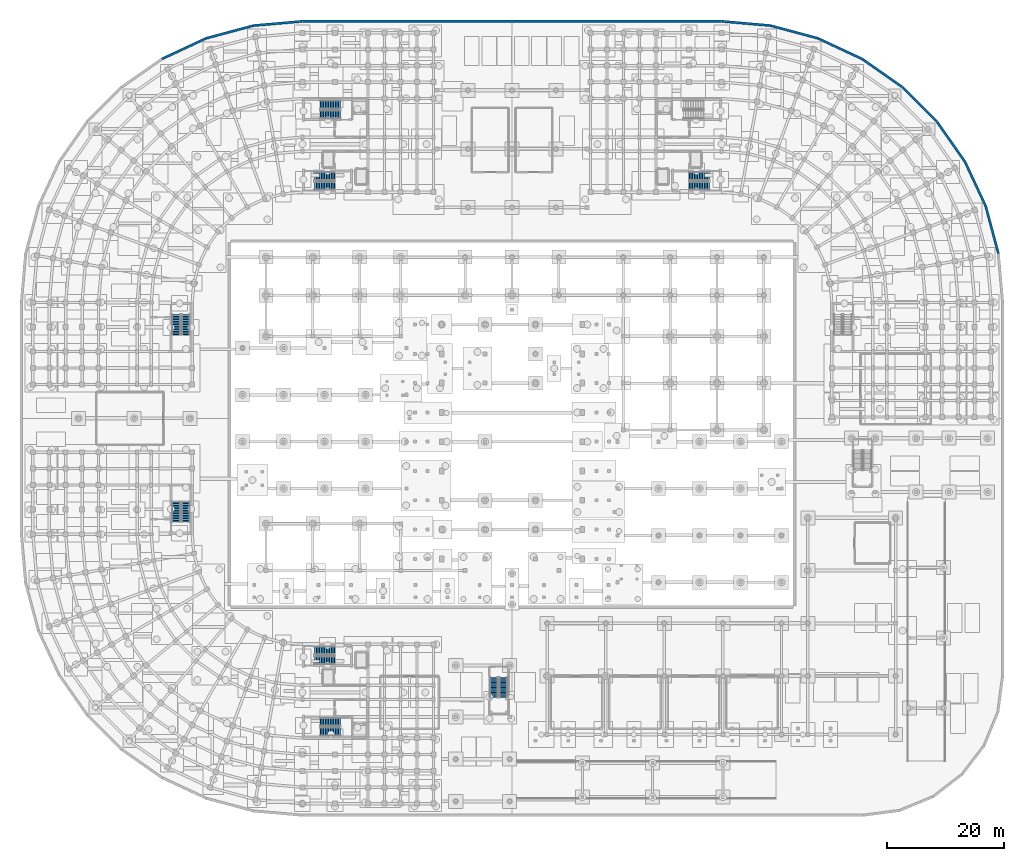
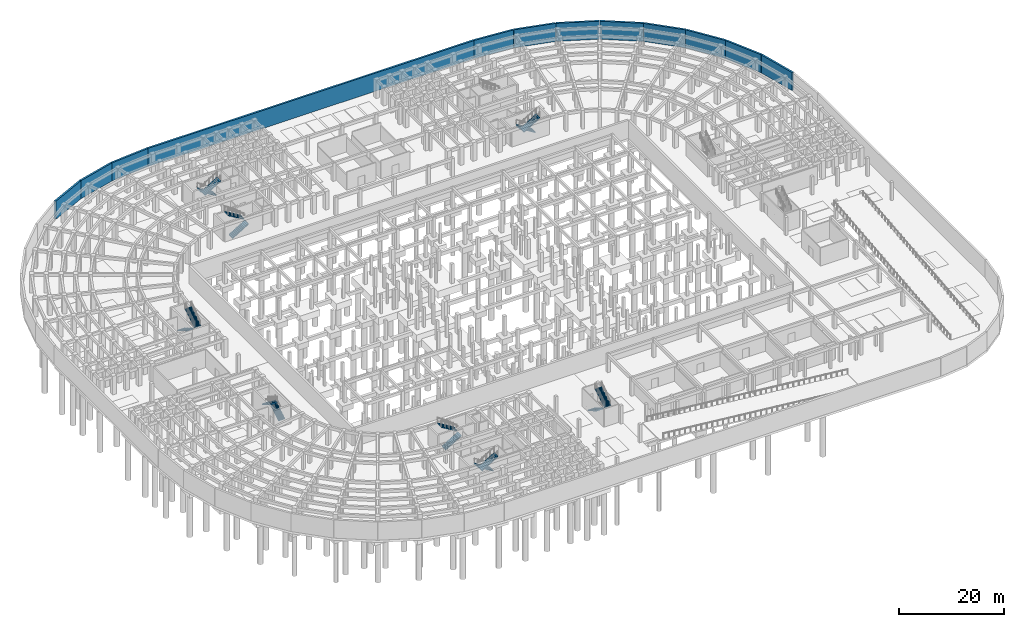
# One storey, part 38 of 53: 16 stair flights, 12 walls, 8 elements without a shape of their own.
"""IFC4 building model written with IfcOpenShell, lengths in metres."""

from ifc_helpers import new_model, si_unit, direction, frame, frame_2d, origin, place, context, subcontext, project, spatial, polyline, rectangle, outline, extrude, material, layer, layer_set, type_object, element, aggregate, save


model = new_model("IFC4")

# Units and contexts
model_context = context("Model", 3, precision=1e-05, world=origin(), true_north=direction((0.0, 1.0)))
body_context = subcontext(model_context, "Body", "Model", "MODEL_VIEW")
ifc_project = project(units=[si_unit("LENGTHUNIT", "METRE"), si_unit("AREAUNIT", "SQUARE_METRE"), si_unit("VOLUMEUNIT", "CUBIC_METRE"), si_unit("PLANEANGLEUNIT", "RADIAN"), si_unit("MASSUNIT", "GRAM", prefix="KILO")], contexts=[model_context])

# Site, building, storey
site_placement = place(None, origin())
site = spatial("IfcSite", under=ifc_project, at=site_placement, CompositionType="ELEMENT")
building_placement = place(site_placement, origin())
building = spatial("IfcBuilding", under=site, at=building_placement, Name="Kiranvali Square Residences", CompositionType="ELEMENT")
storey_placement = place(building_placement, frame((0.0, 0.0, -4.5)))
storey = spatial("IfcBuildingStorey", under=building, at=storey_placement, Name="B1", CompositionType="ELEMENT", Elevation=-4.5)

# Walls
ifc_material_1 = material(Name="Concrete M40 (40 MPa)", Category="concrete")
ifc_layer = layer(ifc_material_1, 0.39990234375)
ifc_layer_set = layer_set([ifc_layer], Name="Concrete M40 (40 MPa)")
wall_type = type_object("IfcWallType", Name="WL-RET-400", PredefinedType="USERDEFINED", material=ifc_layer_set)
for number, where, z_axis, x_axis, name in (
    (1, (167.0439453125, 96.15869140625, 0.0), (0.0, 0.0, 1.0), (-0.258820304836, 0.965925488744, 0.0), "Shaped street-perimeter basement retaining wall 19"),
    (2, (164.87451171875, 104.235595703125, 0.0), (0.0, 0.0, 1.0), (-0.422607112374, 0.906312985988, 0.0), "Shaped street-perimeter basement retaining wall 20"),
    (3, (161.3359375, 111.81298828125, 0.0), (0.0, 0.0, 1.0), (-0.573598429348, 0.819136644186, 0.0), "Shaped street-perimeter basement retaining wall 21"),
    (4, (156.534912109375, 118.66064453125, 0.0), (0.0, 0.0, 1.0), (-0.707106781187, 0.707106781187, 0.0), "Shaped street-perimeter basement retaining wall 22"),
    (5, (150.617919921875, 124.57080078125, 0.0), (0.0, 0.0, 1.0), (-0.819136644186, 0.573598429348, 0.0), "Shaped street-perimeter basement retaining wall 23"),
    (6, (143.7646484375, 129.36376953125, 0.0), (0.0, 0.0, 1.0), (-0.906312985988, 0.422607112374, 0.0), "Shaped street-perimeter basement retaining wall 24"),
    (7, (136.18310546875, 132.893798828125, 0.0), (0.0, 0.0, 1.0), (-0.965925488744, 0.258820304836, 0.0), "Shaped street-perimeter basement retaining wall 25"),
):
    element("IfcWall", number, at=place(storey_placement, frame(where, z_axis=z_axis, x_axis=x_axis)), inside=storey, type_object=wall_type, Name=name, ObjectType="RETAINING WALL", PredefinedType="USERDEFINED", context=body_context, shape_type="SweptSolid", body=[
        extrude(rectangle(XDim=8.307373046875, YDim=0.39990234375, at=frame_2d((4.15380859375, 0.0))), origin(), (0.0, 0.0, 1.0), 4.199951171875),
    ])
wall_1_placement = place(storey_placement, frame((128.103759765625, 135.053466796875, 0.0), z_axis=(0.0, 0.0, 1.0), x_axis=(-0.996193908887, 0.087164762929, 0.0)))
element("IfcWall", 8, at=wall_1_placement, inside=storey, type_object=wall_type, Name="Shaped street-perimeter basement retaining wall 26", ObjectType="RETAINING WALL", PredefinedType="USERDEFINED", context=body_context, shape_type="SweptSolid", body=[
    extrude(rectangle(XDim=8.3076171875, YDim=0.39990234375, at=frame_2d((4.15380859375, 0.0))), origin(), (0.0, 0.0, 1.0), 4.199951171875),
])
wall_2_placement = place(storey_placement, frame((119.77197265625, 135.780029296875, 0.0), z_axis=(0.0, 0.0, 1.0), x_axis=(-1.0, 0.0, 0.0)))
element("IfcWall", 9, at=wall_2_placement, inside=storey, type_object=wall_type, Name="Shaped street-perimeter basement retaining wall 27", ObjectType="RETAINING WALL", PredefinedType="USERDEFINED", context=body_context, shape_type="SweptSolid", body=[
    extrude(rectangle(XDim=71.5439453125, YDim=0.39990234375, at=frame_2d((35.77197265625, 0.0))), origin(), (0.0, 0.0, 1.0), 4.199951171875),
])
wall_3_placement = place(storey_placement, frame((48.172119140625, 135.777587890625, 0.0), z_axis=(0.0, 0.0, 1.0), x_axis=(-0.996193908887, -0.087164762929, 0.0)))
element("IfcWall", 10, at=wall_3_placement, inside=storey, type_object=wall_type, Name="Shaped street-perimeter basement retaining wall 28", ObjectType="RETAINING WALL", PredefinedType="USERDEFINED", context=body_context, shape_type="SweptSolid", body=[
    extrude(rectangle(XDim=8.3076171875, YDim=0.39990234375, at=frame_2d((4.15380859375, 0.0))), origin(), (0.0, 0.0, 1.0), 4.199951171875),
])
for number, where, z_axis, x_axis, name in (
    (11, (39.84130859375, 135.0439453125, 0.0), (0.0, 0.0, 1.0), (-0.965925488744, -0.258820304836, 0.0), "Shaped street-perimeter basement retaining wall 29"),
    (12, (31.764404296875, 132.87451171875, 0.0), (0.0, 0.0, 1.0), (-0.906312985988, -0.422607112374, 0.0), "Shaped street-perimeter basement retaining wall 30"),
):
    element("IfcWall", number, at=place(storey_placement, frame(where, z_axis=z_axis, x_axis=x_axis)), inside=storey, type_object=wall_type, Name=name, ObjectType="RETAINING WALL", PredefinedType="USERDEFINED", context=body_context, shape_type="SweptSolid", body=[
        extrude(rectangle(XDim=8.307373046875, YDim=0.39990234375, at=frame_2d((4.15380859375, 0.0))), origin(), (0.0, 0.0, 1.0), 4.199951171875),
    ])

# Stair, stair flights
ifc_material_2 = material(Name="Concrete M35 (35 MPa)", Category="concrete")
stair_type = type_object("IfcStairType", Name="ST-CORE-1700", PredefinedType="HALF_TURN_STAIR", material=ifc_material_2)
stair_1_placement = place(storey_placement, origin())
stair_1 = element("IfcStair", 13, at=stair_1_placement, inside=storey, type_object=stair_type, Name="B1 Block A Firefighting Exit Stair 1", PredefinedType="HALF_TURN_STAIR")
stair_flight_type = type_object("IfcStairFlightType", Name="STF-1700", PredefinedType="STRAIGHT", material=ifc_material_2)
stair_flight_1_placement = place(storey_placement, frame((54.699951171875, 121.52490234375, 0.0), z_axis=(0.0, 0.0, 1.0), x_axis=(-1.0, 0.0, 0.0)))
stair_flight_1 = element("IfcStairFlight", 14, at=stair_flight_1_placement, type_object=stair_flight_type, Name="ST-A1 flight 1", NumberOfRisers=13, NumberOfTreads=12, PredefinedType="STRAIGHT", RiserHeight=0.173076923, TreadLength=0.285, context=body_context, shape_type="SweptSolid", body=[
    extrude(outline(polyline([(-0.02001953125, -0.14990234375), (-0.02001953125, 0.0), (0.0, 0.0), (0.0, 0.173095703125), (0.284912109375, 0.173095703125), (0.284912109375, 0.34619140625), (0.570068359375, 0.34619140625), (0.570068359375, 0.519287109375), (0.85498046875, 0.519287109375), (0.85498046875, 0.6923828125), (1.139892578125, 0.6923828125), (1.139892578125, 0.865478515625), (1.425048828125, 0.865478515625), (1.425048828125, 1.03857421875), (1.7099609375, 1.03857421875), (1.7099609375, 1.21142578125), (1.9951171875, 1.21142578125), (1.9951171875, 1.384521484375), (2.280029296875, 1.384521484375), (2.280029296875, 1.5576171875), (2.56494140625, 1.5576171875), (2.56494140625, 1.730712890625), (2.85009765625, 1.730712890625), (2.85009765625, 1.90380859375), (3.135009765625, 1.90380859375), (3.135009765625, 2.076904296875), (3.419921875, 2.076904296875), (3.419921875, 2.25), (3.43994140625, 2.25), (3.43994140625, 1.901611328125), (3.419921875, 1.901611328125), (0.0, -0.14990234375), (-0.02001953125, -0.14990234375)])), frame((0.0, 0.72509765625, 0.0), z_axis=(0.0, -1.0, 0.0), x_axis=(1.0, 0.0, 0.0)), (0.0, 0.0, 1.0), 1.449951171875),
])
stair_flight_2_placement = place(storey_placement, frame((51.280029296875, 119.875, 2.25), z_axis=(0.0, 0.0, 1.0), x_axis=(1.0, 0.0, 0.0)))
stair_flight_2 = element("IfcStairFlight", 15, at=stair_flight_2_placement, type_object=stair_flight_type, Name="ST-A1 flight 2", NumberOfRisers=13, NumberOfTreads=12, PredefinedType="STRAIGHT", RiserHeight=0.173076923, TreadLength=0.285, context=body_context, shape_type="SweptSolid", body=[
    extrude(outline(polyline([(-0.02001953125, -0.14990234375), (-0.02001953125, 0.0), (0.0, 0.0), (0.0, 0.173095703125), (0.284912109375, 0.173095703125), (0.284912109375, 0.34619140625), (0.570068359375, 0.34619140625), (0.570068359375, 0.519287109375), (0.85498046875, 0.519287109375), (0.85498046875, 0.6923828125), (1.139892578125, 0.6923828125), (1.139892578125, 0.865478515625), (1.425048828125, 0.865478515625), (1.425048828125, 1.03857421875), (1.7099609375, 1.03857421875), (1.7099609375, 1.21142578125), (1.9951171875, 1.21142578125), (1.9951171875, 1.384521484375), (2.280029296875, 1.384521484375), (2.280029296875, 1.5576171875), (2.56494140625, 1.5576171875), (2.56494140625, 1.730712890625), (2.85009765625, 1.730712890625), (2.85009765625, 1.90380859375), (3.135009765625, 1.90380859375), (3.135009765625, 2.076904296875), (3.419921875, 2.076904296875), (3.419921875, 2.25), (3.43994140625, 2.25), (3.43994140625, 1.901611328125), (3.419921875, 1.901611328125), (0.0, -0.14990234375), (-0.02001953125, -0.14990234375)])), frame((0.0, 0.72509765625, 0.0), z_axis=(0.0, -1.0, 0.0), x_axis=(1.0, 0.0, 0.0)), (0.0, 0.0, 1.0), 1.449951171875),
])
aggregate(stair_1, [stair_flight_1, stair_flight_2])

stair_2_placement = place(storey_placement, origin())
stair_2 = element("IfcStair", 16, at=stair_2_placement, inside=storey, type_object=stair_type, Name="B1 Block A Protected Exit Stair 2", PredefinedType="HALF_TURN_STAIR")
stair_flight_3_placement = place(storey_placement, frame((50.300048828125, 107.675048828125, 0.0), z_axis=(0.0, 0.0, 1.0), x_axis=(1.0, 0.0, 0.0)))
stair_flight_3 = element("IfcStairFlight", 17, at=stair_flight_3_placement, type_object=stair_flight_type, Name="ST-A2 flight 1", NumberOfRisers=13, NumberOfTreads=12, PredefinedType="STRAIGHT", RiserHeight=0.173076923, TreadLength=0.285, context=body_context, shape_type="SweptSolid", body=[
    extrude(outline(polyline([(-0.02001953125, -0.14990234375), (-0.02001953125, 0.0), (0.0, 0.0), (0.0, 0.173095703125), (0.284912109375, 0.173095703125), (0.284912109375, 0.34619140625), (0.570068359375, 0.34619140625), (0.570068359375, 0.519287109375), (0.85498046875, 0.519287109375), (0.85498046875, 0.6923828125), (1.139892578125, 0.6923828125), (1.139892578125, 0.865478515625), (1.425048828125, 0.865478515625), (1.425048828125, 1.03857421875), (1.7099609375, 1.03857421875), (1.7099609375, 1.21142578125), (1.9951171875, 1.21142578125), (1.9951171875, 1.384521484375), (2.280029296875, 1.384521484375), (2.280029296875, 1.5576171875), (2.56494140625, 1.5576171875), (2.56494140625, 1.730712890625), (2.85009765625, 1.730712890625), (2.85009765625, 1.90380859375), (3.135009765625, 1.90380859375), (3.135009765625, 2.076904296875), (3.419921875, 2.076904296875), (3.419921875, 2.25), (3.43994140625, 2.25), (3.43994140625, 1.901611328125), (3.419921875, 1.901611328125), (0.0, -0.14990234375), (-0.02001953125, -0.14990234375)])), frame((0.0, 0.72509765625, 0.0), z_axis=(0.0, -1.0, 0.0), x_axis=(1.0, 0.0, 0.0)), (0.0, 0.0, 1.0), 1.449951171875),
])
stair_flight_4_placement = place(storey_placement, frame((53.719970703125, 109.324951171875, 2.25), z_axis=(0.0, 0.0, 1.0), x_axis=(-1.0, 0.0, 0.0)))
stair_flight_4 = element("IfcStairFlight", 18, at=stair_flight_4_placement, type_object=stair_flight_type, Name="ST-A2 flight 2", NumberOfRisers=13, NumberOfTreads=12, PredefinedType="STRAIGHT", RiserHeight=0.173076923, TreadLength=0.285, context=body_context, shape_type="SweptSolid", body=[
    extrude(outline(polyline([(-0.02001953125, -0.14990234375), (-0.02001953125, 0.0), (0.0, 0.0), (0.0, 0.173095703125), (0.284912109375, 0.173095703125), (0.284912109375, 0.34619140625), (0.570068359375, 0.34619140625), (0.570068359375, 0.519287109375), (0.85498046875, 0.519287109375), (0.85498046875, 0.6923828125), (1.139892578125, 0.6923828125), (1.139892578125, 0.865478515625), (1.425048828125, 0.865478515625), (1.425048828125, 1.03857421875), (1.7099609375, 1.03857421875), (1.7099609375, 1.21142578125), (1.9951171875, 1.21142578125), (1.9951171875, 1.384521484375), (2.280029296875, 1.384521484375), (2.280029296875, 1.5576171875), (2.56494140625, 1.5576171875), (2.56494140625, 1.730712890625), (2.85009765625, 1.730712890625), (2.85009765625, 1.90380859375), (3.135009765625, 1.90380859375), (3.135009765625, 2.076904296875), (3.419921875, 2.076904296875), (3.419921875, 2.25), (3.43994140625, 2.25), (3.43994140625, 1.901611328125), (3.419921875, 1.901611328125), (0.0, -0.14990234375), (-0.02001953125, -0.14990234375)])), frame((0.0, 0.72509765625, 0.0), z_axis=(0.0, -1.0, 0.0), x_axis=(1.0, 0.0, 0.0)), (0.0, 0.0, 1.0), 1.449951171875),
])
aggregate(stair_2, [stair_flight_3, stair_flight_4])

stair_3_placement = place(storey_placement, origin())
stair_3 = element("IfcStair", 19, at=stair_3_placement, inside=storey, type_object=stair_type, Name="B1 Block A Wing Protected Exit Stair 3", PredefinedType="HALF_TURN_STAIR")
stair_flight_5_placement = place(storey_placement, frame((26.675048828125, 85.699951171875, 0.0), z_axis=(0.0, 0.0, 1.0), x_axis=(0.0, -1.0, 0.0)))
stair_flight_5 = element("IfcStairFlight", 20, at=stair_flight_5_placement, type_object=stair_flight_type, Name="ST-A3 flight 1", NumberOfRisers=13, NumberOfTreads=12, PredefinedType="STRAIGHT", RiserHeight=0.173076923, TreadLength=0.285, context=body_context, shape_type="SweptSolid", body=[
    extrude(outline(polyline([(-0.02001953125, -0.14990234375), (-0.02001953125, 0.0), (0.0, 0.0), (0.0, 0.173095703125), (0.284912109375, 0.173095703125), (0.284912109375, 0.34619140625), (0.570068359375, 0.34619140625), (0.570068359375, 0.519287109375), (0.85498046875, 0.519287109375), (0.85498046875, 0.6923828125), (1.139892578125, 0.6923828125), (1.139892578125, 0.865478515625), (1.425048828125, 0.865478515625), (1.425048828125, 1.03857421875), (1.7099609375, 1.03857421875), (1.7099609375, 1.21142578125), (1.9951171875, 1.21142578125), (1.9951171875, 1.384521484375), (2.280029296875, 1.384521484375), (2.280029296875, 1.5576171875), (2.56494140625, 1.5576171875), (2.56494140625, 1.730712890625), (2.85009765625, 1.730712890625), (2.85009765625, 1.90380859375), (3.135009765625, 1.90380859375), (3.135009765625, 2.076904296875), (3.419921875, 2.076904296875), (3.419921875, 2.25), (3.43994140625, 2.25), (3.43994140625, 1.901611328125), (3.419921875, 1.901611328125), (0.0, -0.14990234375), (-0.02001953125, -0.14990234375)])), frame((0.0, 0.72509765625, 0.0), z_axis=(0.0, -1.0, 0.0), x_axis=(1.0, 0.0, 0.0)), (0.0, 0.0, 1.0), 1.449951171875),
])
stair_flight_6_placement = place(storey_placement, frame((28.324951171875, 82.280029296875, 2.25), z_axis=(0.0, 0.0, 1.0), x_axis=(0.0, 1.0, 0.0)))
stair_flight_6 = element("IfcStairFlight", 21, at=stair_flight_6_placement, type_object=stair_flight_type, Name="ST-A3 flight 2", NumberOfRisers=13, NumberOfTreads=12, PredefinedType="STRAIGHT", RiserHeight=0.173076923, TreadLength=0.285, context=body_context, shape_type="SweptSolid", body=[
    extrude(outline(polyline([(-0.02001953125, -0.14990234375), (-0.02001953125, 0.0), (0.0, 0.0), (0.0, 0.173095703125), (0.284912109375, 0.173095703125), (0.284912109375, 0.34619140625), (0.570068359375, 0.34619140625), (0.570068359375, 0.519287109375), (0.85498046875, 0.519287109375), (0.85498046875, 0.6923828125), (1.139892578125, 0.6923828125), (1.139892578125, 0.865478515625), (1.425048828125, 0.865478515625), (1.425048828125, 1.03857421875), (1.7099609375, 1.03857421875), (1.7099609375, 1.21142578125), (1.9951171875, 1.21142578125), (1.9951171875, 1.384521484375), (2.280029296875, 1.384521484375), (2.280029296875, 1.5576171875), (2.56494140625, 1.5576171875), (2.56494140625, 1.730712890625), (2.85009765625, 1.730712890625), (2.85009765625, 1.90380859375), (3.135009765625, 1.90380859375), (3.135009765625, 2.076904296875), (3.419921875, 2.076904296875), (3.419921875, 2.25), (3.43994140625, 2.25), (3.43994140625, 1.901611328125), (3.419921875, 1.901611328125), (0.0, -0.14990234375), (-0.02001953125, -0.14990234375)])), frame((0.0, 0.72509765625, 0.0), z_axis=(0.0, -1.0, 0.0), x_axis=(1.0, 0.0, 0.0)), (0.0, 0.0, 1.0), 1.449951171875),
])
aggregate(stair_3, [stair_flight_5, stair_flight_6])

stair_4_placement = place(storey_placement, origin())
stair_4 = element("IfcStair", 22, at=stair_4_placement, inside=storey, type_object=stair_type, Name="B1 Block B Protected Exit Stair 2", PredefinedType="HALF_TURN_STAIR")
stair_flight_7_placement = place(storey_placement, frame((117.699951171875, 109.324951171875, 0.0), z_axis=(0.0, 0.0, 1.0), x_axis=(-1.0, 0.0, 0.0)))
stair_flight_7 = element("IfcStairFlight", 23, at=stair_flight_7_placement, type_object=stair_flight_type, Name="ST-B2 flight 1", NumberOfRisers=13, NumberOfTreads=12, PredefinedType="STRAIGHT", RiserHeight=0.173076923, TreadLength=0.285, context=body_context, shape_type="SweptSolid", body=[
    extrude(outline(polyline([(-0.02001953125, -0.14990234375), (-0.02001953125, 0.0), (0.0, 0.0), (0.0, 0.173095703125), (0.284912109375, 0.173095703125), (0.284912109375, 0.34619140625), (0.570068359375, 0.34619140625), (0.570068359375, 0.519287109375), (0.85498046875, 0.519287109375), (0.85498046875, 0.6923828125), (1.139892578125, 0.6923828125), (1.139892578125, 0.865478515625), (1.425048828125, 0.865478515625), (1.425048828125, 1.03857421875), (1.7099609375, 1.03857421875), (1.7099609375, 1.21142578125), (1.9951171875, 1.21142578125), (1.9951171875, 1.384521484375), (2.280029296875, 1.384521484375), (2.280029296875, 1.5576171875), (2.56494140625, 1.5576171875), (2.56494140625, 1.730712890625), (2.85009765625, 1.730712890625), (2.85009765625, 1.90380859375), (3.135009765625, 1.90380859375), (3.135009765625, 2.076904296875), (3.419921875, 2.076904296875), (3.419921875, 2.25), (3.43994140625, 2.25), (3.43994140625, 1.901611328125), (3.419921875, 1.901611328125), (0.0, -0.14990234375), (-0.02001953125, -0.14990234375)])), frame((0.0, 0.72509765625, 0.0), z_axis=(0.0, -1.0, 0.0), x_axis=(1.0, 0.0, 0.0)), (0.0, 0.0, 1.0), 1.449951171875),
])
stair_flight_8_placement = place(storey_placement, frame((114.280029296875, 107.675048828125, 2.25), z_axis=(0.0, 0.0, 1.0), x_axis=(1.0, 0.0, 0.0)))
stair_flight_8 = element("IfcStairFlight", 24, at=stair_flight_8_placement, type_object=stair_flight_type, Name="ST-B2 flight 2", NumberOfRisers=13, NumberOfTreads=12, PredefinedType="STRAIGHT", RiserHeight=0.173076923, TreadLength=0.285, context=body_context, shape_type="SweptSolid", body=[
    extrude(outline(polyline([(-0.02001953125, -0.14990234375), (-0.02001953125, 0.0), (0.0, 0.0), (0.0, 0.173095703125), (0.284912109375, 0.173095703125), (0.284912109375, 0.34619140625), (0.570068359375, 0.34619140625), (0.570068359375, 0.519287109375), (0.85498046875, 0.519287109375), (0.85498046875, 0.6923828125), (1.139892578125, 0.6923828125), (1.139892578125, 0.865478515625), (1.425048828125, 0.865478515625), (1.425048828125, 1.03857421875), (1.7099609375, 1.03857421875), (1.7099609375, 1.21142578125), (1.9951171875, 1.21142578125), (1.9951171875, 1.384521484375), (2.280029296875, 1.384521484375), (2.280029296875, 1.5576171875), (2.56494140625, 1.5576171875), (2.56494140625, 1.730712890625), (2.85009765625, 1.730712890625), (2.85009765625, 1.90380859375), (3.135009765625, 1.90380859375), (3.135009765625, 2.076904296875), (3.419921875, 2.076904296875), (3.419921875, 2.25), (3.43994140625, 2.25), (3.43994140625, 1.901611328125), (3.419921875, 1.901611328125), (0.0, -0.14990234375), (-0.02001953125, -0.14990234375)])), frame((0.0, 0.72509765625, 0.0), z_axis=(0.0, -1.0, 0.0), x_axis=(1.0, 0.0, 0.0)), (0.0, 0.0, 1.0), 1.449951171875),
])
aggregate(stair_4, [stair_flight_7, stair_flight_8])

stair_5_placement = place(storey_placement, origin())
stair_5 = element("IfcStair", 25, at=stair_5_placement, inside=storey, type_object=stair_type, Name="B1 Block C Firefighting Exit Stair 1", PredefinedType="HALF_TURN_STAIR")
stair_flight_9_placement = place(storey_placement, frame((54.699951171875, 16.125, 0.0), z_axis=(0.0, 0.0, 1.0), x_axis=(-1.0, 0.0, 0.0)))
stair_flight_9 = element("IfcStairFlight", 26, at=stair_flight_9_placement, type_object=stair_flight_type, Name="ST-C1 flight 1", NumberOfRisers=13, NumberOfTreads=12, PredefinedType="STRAIGHT", RiserHeight=0.173076923, TreadLength=0.285, context=body_context, shape_type="SweptSolid", body=[
    extrude(outline(polyline([(-0.02001953125, -0.14990234375), (-0.02001953125, 0.0), (0.0, 0.0), (0.0, 0.173095703125), (0.284912109375, 0.173095703125), (0.284912109375, 0.34619140625), (0.570068359375, 0.34619140625), (0.570068359375, 0.519287109375), (0.85498046875, 0.519287109375), (0.85498046875, 0.6923828125), (1.139892578125, 0.6923828125), (1.139892578125, 0.865478515625), (1.425048828125, 0.865478515625), (1.425048828125, 1.03857421875), (1.7099609375, 1.03857421875), (1.7099609375, 1.21142578125), (1.9951171875, 1.21142578125), (1.9951171875, 1.384521484375), (2.280029296875, 1.384521484375), (2.280029296875, 1.5576171875), (2.56494140625, 1.5576171875), (2.56494140625, 1.730712890625), (2.85009765625, 1.730712890625), (2.85009765625, 1.90380859375), (3.135009765625, 1.90380859375), (3.135009765625, 2.076904296875), (3.419921875, 2.076904296875), (3.419921875, 2.25), (3.43994140625, 2.25), (3.43994140625, 1.901611328125), (3.419921875, 1.901611328125), (0.0, -0.14990234375), (-0.02001953125, -0.14990234375)])), frame((0.0, 0.72509765625, 0.0), z_axis=(0.0, -1.0, 0.0), x_axis=(1.0, 0.0, 0.0)), (0.0, 0.0, 1.0), 1.449951171875),
])
stair_flight_10_placement = place(storey_placement, frame((51.280029296875, 14.47509765625, 2.25), z_axis=(0.0, 0.0, 1.0), x_axis=(1.0, 0.0, 0.0)))
stair_flight_10 = element("IfcStairFlight", 27, at=stair_flight_10_placement, type_object=stair_flight_type, Name="ST-C1 flight 2", NumberOfRisers=13, NumberOfTreads=12, PredefinedType="STRAIGHT", RiserHeight=0.173076923, TreadLength=0.285, context=body_context, shape_type="SweptSolid", body=[
    extrude(outline(polyline([(-0.02001953125, -0.14990234375), (-0.02001953125, 0.0), (0.0, 0.0), (0.0, 0.173095703125), (0.284912109375, 0.173095703125), (0.284912109375, 0.34619140625), (0.570068359375, 0.34619140625), (0.570068359375, 0.519287109375), (0.85498046875, 0.519287109375), (0.85498046875, 0.6923828125), (1.139892578125, 0.6923828125), (1.139892578125, 0.865478515625), (1.425048828125, 0.865478515625), (1.425048828125, 1.03857421875), (1.7099609375, 1.03857421875), (1.7099609375, 1.21142578125), (1.9951171875, 1.21142578125), (1.9951171875, 1.384521484375), (2.280029296875, 1.384521484375), (2.280029296875, 1.5576171875), (2.56494140625, 1.5576171875), (2.56494140625, 1.730712890625), (2.85009765625, 1.730712890625), (2.85009765625, 1.90380859375), (3.135009765625, 1.90380859375), (3.135009765625, 2.076904296875), (3.419921875, 2.076904296875), (3.419921875, 2.25), (3.43994140625, 2.25), (3.43994140625, 1.901611328125), (3.419921875, 1.901611328125), (0.0, -0.14990234375), (-0.02001953125, -0.14990234375)])), frame((0.0, 0.72509765625, 0.0), z_axis=(0.0, -1.0, 0.0), x_axis=(1.0, 0.0, 0.0)), (0.0, 0.0, 1.0), 1.449951171875),
])
aggregate(stair_5, [stair_flight_9, stair_flight_10])

stair_6_placement = place(storey_placement, origin())
stair_6 = element("IfcStair", 28, at=stair_6_placement, inside=storey, type_object=stair_type, Name="B1 Block C Protected Exit Stair 2", PredefinedType="HALF_TURN_STAIR")
stair_flight_11_placement = place(storey_placement, frame((50.300048828125, 26.675048828125, 0.0), z_axis=(0.0, 0.0, 1.0), x_axis=(1.0, 0.0, 0.0)))
stair_flight_11 = element("IfcStairFlight", 29, at=stair_flight_11_placement, type_object=stair_flight_type, Name="ST-C2 flight 1", NumberOfRisers=13, NumberOfTreads=12, PredefinedType="STRAIGHT", RiserHeight=0.173076923, TreadLength=0.285, context=body_context, shape_type="SweptSolid", body=[
    extrude(outline(polyline([(-0.02001953125, -0.14990234375), (-0.02001953125, 0.0), (0.0, 0.0), (0.0, 0.173095703125), (0.284912109375, 0.173095703125), (0.284912109375, 0.34619140625), (0.570068359375, 0.34619140625), (0.570068359375, 0.519287109375), (0.85498046875, 0.519287109375), (0.85498046875, 0.6923828125), (1.139892578125, 0.6923828125), (1.139892578125, 0.865478515625), (1.425048828125, 0.865478515625), (1.425048828125, 1.03857421875), (1.7099609375, 1.03857421875), (1.7099609375, 1.21142578125), (1.9951171875, 1.21142578125), (1.9951171875, 1.384521484375), (2.280029296875, 1.384521484375), (2.280029296875, 1.5576171875), (2.56494140625, 1.5576171875), (2.56494140625, 1.730712890625), (2.85009765625, 1.730712890625), (2.85009765625, 1.90380859375), (3.135009765625, 1.90380859375), (3.135009765625, 2.076904296875), (3.419921875, 2.076904296875), (3.419921875, 2.25), (3.43994140625, 2.25), (3.43994140625, 1.901611328125), (3.419921875, 1.901611328125), (0.0, -0.14990234375), (-0.02001953125, -0.14990234375)])), frame((0.0, 0.72509765625, 0.0), z_axis=(0.0, -1.0, 0.0), x_axis=(1.0, 0.0, 0.0)), (0.0, 0.0, 1.0), 1.449951171875),
])
stair_flight_12_placement = place(storey_placement, frame((53.719970703125, 28.324951171875, 2.25), z_axis=(0.0, 0.0, 1.0), x_axis=(-1.0, 0.0, 0.0)))
stair_flight_12 = element("IfcStairFlight", 30, at=stair_flight_12_placement, type_object=stair_flight_type, Name="ST-C2 flight 2", NumberOfRisers=13, NumberOfTreads=12, PredefinedType="STRAIGHT", RiserHeight=0.173076923, TreadLength=0.285, context=body_context, shape_type="SweptSolid", body=[
    extrude(outline(polyline([(-0.02001953125, -0.14990234375), (-0.02001953125, 0.0), (0.0, 0.0), (0.0, 0.173095703125), (0.284912109375, 0.173095703125), (0.284912109375, 0.34619140625), (0.570068359375, 0.34619140625), (0.570068359375, 0.519287109375), (0.85498046875, 0.519287109375), (0.85498046875, 0.6923828125), (1.139892578125, 0.6923828125), (1.139892578125, 0.865478515625), (1.425048828125, 0.865478515625), (1.425048828125, 1.03857421875), (1.7099609375, 1.03857421875), (1.7099609375, 1.21142578125), (1.9951171875, 1.21142578125), (1.9951171875, 1.384521484375), (2.280029296875, 1.384521484375), (2.280029296875, 1.5576171875), (2.56494140625, 1.5576171875), (2.56494140625, 1.730712890625), (2.85009765625, 1.730712890625), (2.85009765625, 1.90380859375), (3.135009765625, 1.90380859375), (3.135009765625, 2.076904296875), (3.419921875, 2.076904296875), (3.419921875, 2.25), (3.43994140625, 2.25), (3.43994140625, 1.901611328125), (3.419921875, 1.901611328125), (0.0, -0.14990234375), (-0.02001953125, -0.14990234375)])), frame((0.0, 0.72509765625, 0.0), z_axis=(0.0, -1.0, 0.0), x_axis=(1.0, 0.0, 0.0)), (0.0, 0.0, 1.0), 1.449951171875),
])
aggregate(stair_6, [stair_flight_11, stair_flight_12])

stair_7_placement = place(storey_placement, origin())
stair_7 = element("IfcStair", 31, at=stair_7_placement, inside=storey, type_object=stair_type, Name="B1 Block C Wing Protected Exit Stair 3", PredefinedType="HALF_TURN_STAIR")
stair_flight_13_placement = place(storey_placement, frame((28.324951171875, 50.300048828125, 0.0), z_axis=(0.0, 0.0, 1.0), x_axis=(0.0, 1.0, 0.0)))
stair_flight_13 = element("IfcStairFlight", 32, at=stair_flight_13_placement, type_object=stair_flight_type, Name="ST-C3 flight 1", NumberOfRisers=13, NumberOfTreads=12, PredefinedType="STRAIGHT", RiserHeight=0.173076923, TreadLength=0.285, context=body_context, shape_type="SweptSolid", body=[
    extrude(outline(polyline([(-0.02001953125, -0.14990234375), (-0.02001953125, 0.0), (0.0, 0.0), (0.0, 0.173095703125), (0.284912109375, 0.173095703125), (0.284912109375, 0.34619140625), (0.570068359375, 0.34619140625), (0.570068359375, 0.519287109375), (0.85498046875, 0.519287109375), (0.85498046875, 0.6923828125), (1.139892578125, 0.6923828125), (1.139892578125, 0.865478515625), (1.425048828125, 0.865478515625), (1.425048828125, 1.03857421875), (1.7099609375, 1.03857421875), (1.7099609375, 1.21142578125), (1.9951171875, 1.21142578125), (1.9951171875, 1.384521484375), (2.280029296875, 1.384521484375), (2.280029296875, 1.5576171875), (2.56494140625, 1.5576171875), (2.56494140625, 1.730712890625), (2.85009765625, 1.730712890625), (2.85009765625, 1.90380859375), (3.135009765625, 1.90380859375), (3.135009765625, 2.076904296875), (3.419921875, 2.076904296875), (3.419921875, 2.25), (3.43994140625, 2.25), (3.43994140625, 1.901611328125), (3.419921875, 1.901611328125), (0.0, -0.14990234375), (-0.02001953125, -0.14990234375)])), frame((0.0, 0.72509765625, 0.0), z_axis=(0.0, -1.0, 0.0), x_axis=(1.0, 0.0, 0.0)), (0.0, 0.0, 1.0), 1.449951171875),
])
stair_flight_14_placement = place(storey_placement, frame((26.675048828125, 53.719970703125, 2.25), z_axis=(0.0, 0.0, 1.0), x_axis=(0.0, -1.0, 0.0)))
stair_flight_14 = element("IfcStairFlight", 33, at=stair_flight_14_placement, type_object=stair_flight_type, Name="ST-C3 flight 2", NumberOfRisers=13, NumberOfTreads=12, PredefinedType="STRAIGHT", RiserHeight=0.173076923, TreadLength=0.285, context=body_context, shape_type="SweptSolid", body=[
    extrude(outline(polyline([(-0.02001953125, -0.14990234375), (-0.02001953125, 0.0), (0.0, 0.0), (0.0, 0.173095703125), (0.284912109375, 0.173095703125), (0.284912109375, 0.34619140625), (0.570068359375, 0.34619140625), (0.570068359375, 0.519287109375), (0.85498046875, 0.519287109375), (0.85498046875, 0.6923828125), (1.139892578125, 0.6923828125), (1.139892578125, 0.865478515625), (1.425048828125, 0.865478515625), (1.425048828125, 1.03857421875), (1.7099609375, 1.03857421875), (1.7099609375, 1.21142578125), (1.9951171875, 1.21142578125), (1.9951171875, 1.384521484375), (2.280029296875, 1.384521484375), (2.280029296875, 1.5576171875), (2.56494140625, 1.5576171875), (2.56494140625, 1.730712890625), (2.85009765625, 1.730712890625), (2.85009765625, 1.90380859375), (3.135009765625, 1.90380859375), (3.135009765625, 2.076904296875), (3.419921875, 2.076904296875), (3.419921875, 2.25), (3.43994140625, 2.25), (3.43994140625, 1.901611328125), (3.419921875, 1.901611328125), (0.0, -0.14990234375), (-0.02001953125, -0.14990234375)])), frame((0.0, 0.72509765625, 0.0), z_axis=(0.0, -1.0, 0.0), x_axis=(1.0, 0.0, 0.0)), (0.0, 0.0, 1.0), 1.449951171875),
])
aggregate(stair_7, [stair_flight_13, stair_flight_14])

stair_8_placement = place(storey_placement, origin())
stair_8 = element("IfcStair", 34, at=stair_8_placement, inside=storey, type_object=stair_type, Name="B1 South Square Basement Exit Stair P1", PredefinedType="HALF_TURN_STAIR")
stair_flight_15_placement = place(storey_placement, frame((80.925048828125, 23.75, 0.0), z_axis=(0.0, 0.0, 1.0), x_axis=(0.0, -1.0, 0.0)))
stair_flight_15 = element("IfcStairFlight", 35, at=stair_flight_15_placement, type_object=stair_flight_type, Name="ST-P1 flight 1", NumberOfRisers=13, NumberOfTreads=12, PredefinedType="STRAIGHT", RiserHeight=0.173076923, TreadLength=0.285, context=body_context, shape_type="SweptSolid", body=[
    extrude(outline(polyline([(-0.02001953125, -0.14990234375), (-0.02001953125, 0.0), (0.0, 0.0), (0.0, 0.173095703125), (0.284912109375, 0.173095703125), (0.284912109375, 0.34619140625), (0.570068359375, 0.34619140625), (0.570068359375, 0.519287109375), (0.85498046875, 0.519287109375), (0.85498046875, 0.6923828125), (1.139892578125, 0.6923828125), (1.139892578125, 0.865478515625), (1.425048828125, 0.865478515625), (1.425048828125, 1.03857421875), (1.7099609375, 1.03857421875), (1.7099609375, 1.21142578125), (1.9951171875, 1.21142578125), (1.9951171875, 1.384521484375), (2.280029296875, 1.384521484375), (2.280029296875, 1.5576171875), (2.56494140625, 1.5576171875), (2.56494140625, 1.730712890625), (2.85009765625, 1.730712890625), (2.85009765625, 1.90380859375), (3.135009765625, 1.90380859375), (3.135009765625, 2.076904296875), (3.419921875, 2.076904296875), (3.419921875, 2.25), (3.43994140625, 2.25), (3.43994140625, 1.901611328125), (3.419921875, 1.901611328125), (0.0, -0.14990234375), (-0.02001953125, -0.14990234375)])), frame((0.0, 0.72509765625, 0.0), z_axis=(0.0, -1.0, 0.0), x_axis=(1.0, 0.0, 0.0)), (0.0, 0.0, 1.0), 1.449951171875),
])
stair_flight_16_placement = place(storey_placement, frame((82.574951171875, 20.330078125, 2.25), z_axis=(0.0, 0.0, 1.0), x_axis=(0.0, 1.0, 0.0)))
stair_flight_16 = element("IfcStairFlight", 36, at=stair_flight_16_placement, type_object=stair_flight_type, Name="ST-P1 flight 2", NumberOfRisers=13, NumberOfTreads=12, PredefinedType="STRAIGHT", RiserHeight=0.173076923, TreadLength=0.285, context=body_context, shape_type="SweptSolid", body=[
    extrude(outline(polyline([(-0.02001953125, -0.14990234375), (-0.02001953125, 0.0), (0.0, 0.0), (0.0, 0.173095703125), (0.284912109375, 0.173095703125), (0.284912109375, 0.34619140625), (0.570068359375, 0.34619140625), (0.570068359375, 0.519287109375), (0.85498046875, 0.519287109375), (0.85498046875, 0.6923828125), (1.139892578125, 0.6923828125), (1.139892578125, 0.865478515625), (1.425048828125, 0.865478515625), (1.425048828125, 1.03857421875), (1.7099609375, 1.03857421875), (1.7099609375, 1.21142578125), (1.9951171875, 1.21142578125), (1.9951171875, 1.384521484375), (2.280029296875, 1.384521484375), (2.280029296875, 1.5576171875), (2.56494140625, 1.5576171875), (2.56494140625, 1.730712890625), (2.85009765625, 1.730712890625), (2.85009765625, 1.90380859375), (3.135009765625, 1.90380859375), (3.135009765625, 2.076904296875), (3.419921875, 2.076904296875), (3.419921875, 2.25), (3.43994140625, 2.25), (3.43994140625, 1.901611328125), (3.419921875, 1.901611328125), (0.0, -0.14990234375), (-0.02001953125, -0.14990234375)])), frame((0.0, 0.72509765625, 0.0), z_axis=(0.0, -1.0, 0.0), x_axis=(1.0, 0.0, 0.0)), (0.0, 0.0, 1.0), 1.449951171875),
])
aggregate(stair_8, [stair_flight_15, stair_flight_16])

save(model, "model.ifc")
